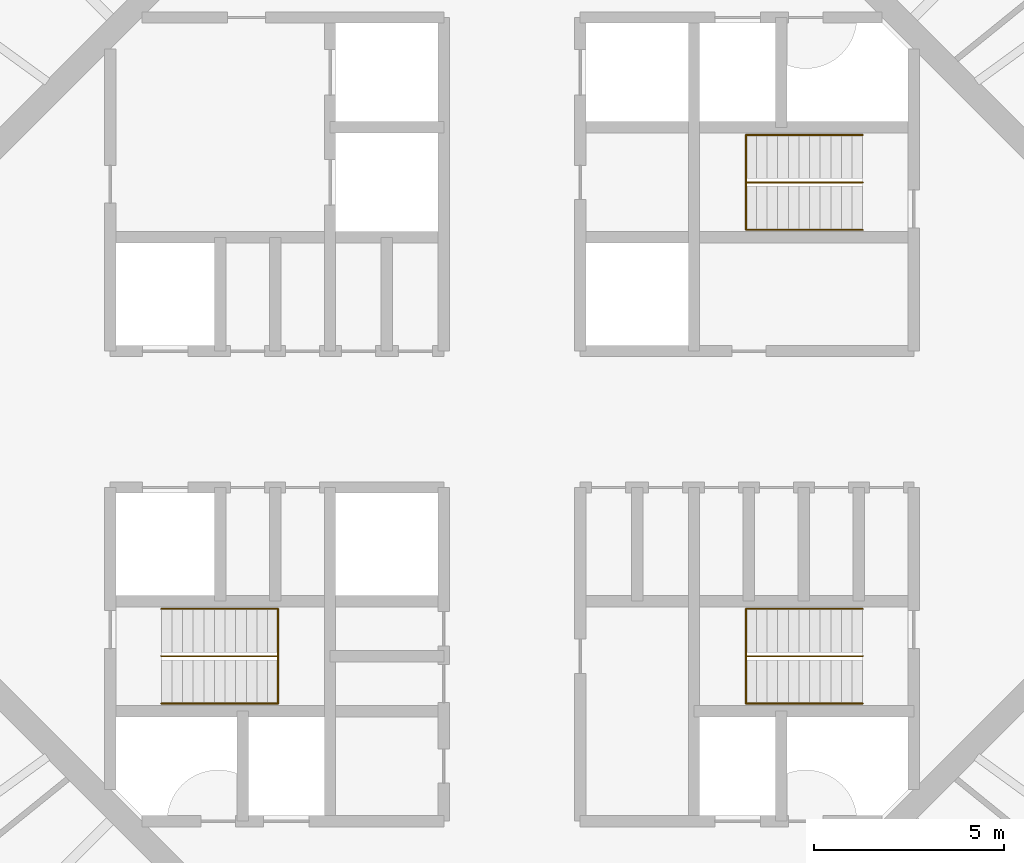
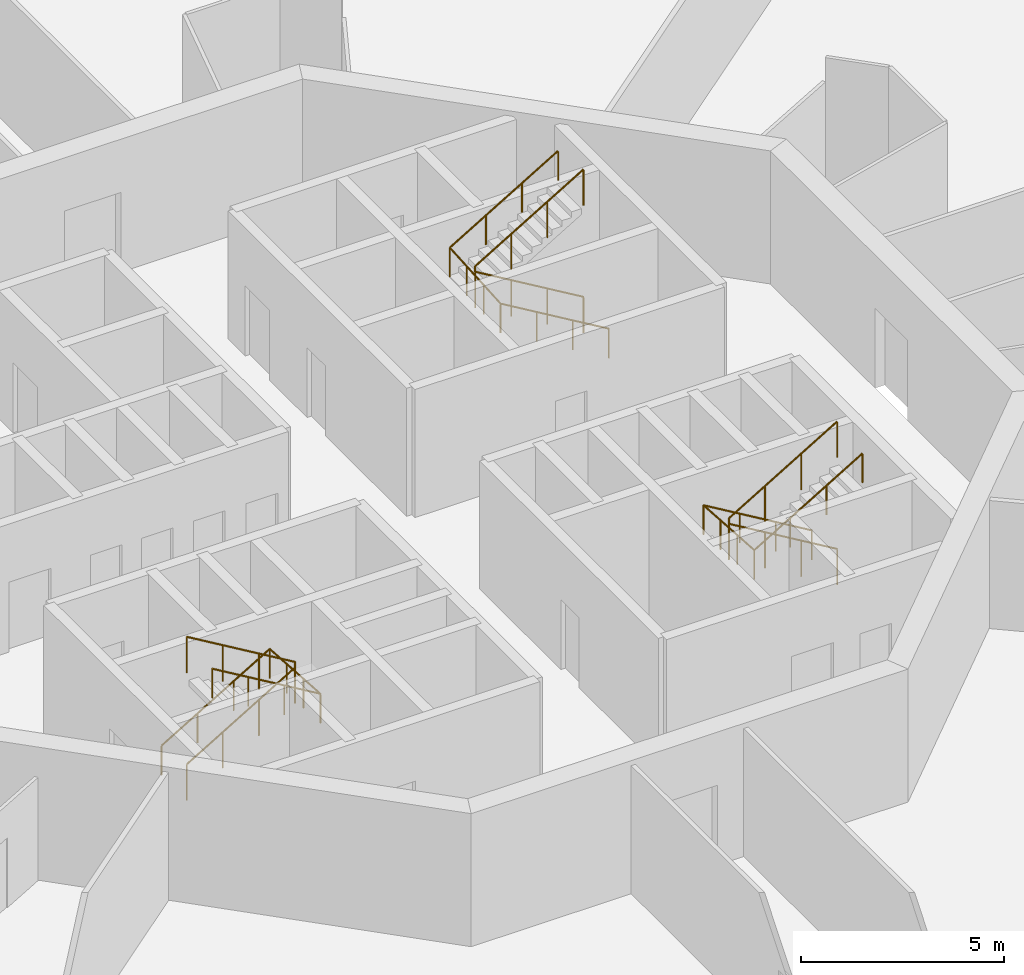
# One storey, part 13 of 13: 6 railings.
"""IFC4 building model written with IfcOpenShell, lengths in metres."""

from ifc_helpers import new_model, si_unit, direction, frame, origin, origin_2d, place, context, subcontext, project, spatial, circle, extrude, material, type_object, element, save


model = new_model("IFC4")

# Units and contexts
model_context = context("Model", 3, precision=1e-05, world=origin(), true_north=direction((0.0, 1.0)))
body_context = subcontext(model_context, "Body", "Model", "MODEL_VIEW")
ifc_project = project(units=[si_unit("LENGTHUNIT", "METRE"), si_unit("AREAUNIT", "SQUARE_METRE"), si_unit("VOLUMEUNIT", "CUBIC_METRE"), si_unit("PLANEANGLEUNIT", "RADIAN"), si_unit("MASSUNIT", "GRAM", prefix="KILO")], contexts=[model_context])

# Site, building, storey
site_placement = place(None, origin())
site = spatial("IfcSite", under=ifc_project, at=site_placement, CompositionType="ELEMENT")
building_placement = place(site_placement, origin())
building = spatial("IfcBuilding", under=site, at=building_placement, Name="Entoto Ring Tower", CompositionType="ELEMENT")
storey_placement = place(building_placement, frame((0.0, 0.0, 336.0)))
storey = spatial("IfcBuildingStorey", under=building, at=storey_placement, Name="L77", CompositionType="ELEMENT", Elevation=336.0)

# Railings
ifc_material_1 = material(Name="Steel S275", Category="steel")
railing_type_1 = type_object("IfcRailingType", Name="Stair guard 1100 mm steel", PredefinedType="GUARDRAIL", material=ifc_material_1)
railing_1_placement = place(storey_placement, frame((99.25, 86.25, 0.166748046875)))
element("IfcRailing", 1, at=railing_1_placement, inside=storey, type_object=railing_type_1, Name="Guard ST1", PredefinedType="GUARDRAIL", context=body_context, shape_type="SweptSolid", body=[
    extrude(circle(Radius=0.02392578125, at=origin_2d()), frame((0.0, 0.0, 1.076171875), z_axis=(-0.859308565015, 0.0, 0.511457515432), x_axis=(0.0, -1.0, 0.0)), (0.0, 0.0, 1.0), 3.58447265625),
    extrude(circle(Radius=0.02392578125, at=origin_2d()), frame((-3.080078125, 0.0, 2.9091796875), z_axis=(0.0, 0.0, 1.0), x_axis=(1.0, 0.0, 0.0)), (0.0, 0.0, 1.0), 0.166748046875),
    extrude(circle(Radius=0.02392578125, at=origin_2d()), frame((-3.080078125, 0.0, 3.076171875), z_axis=(0.859308565015, 0.0, 0.511457515432), x_axis=(0.0, 1.0, 0.0)), (0.0, 0.0, 1.0), 3.58447265625),
    extrude(circle(Radius=0.02099609375, at=origin_2d()), origin(), (0.0, 0.0, 1.0), 1.052001953125),
    extrude(circle(Radius=0.02099609375, at=origin_2d()), frame((-1.026611328125, 0.0, 0.611083984375)), (0.0, 0.0, 1.0), 1.052001953125),
    extrude(circle(Radius=0.02099609375, at=origin_2d()), frame((-2.053466796875, 0.0, 1.22216796875)), (0.0, 0.0, 1.0), 1.052001953125),
    extrude(circle(Radius=0.02099609375, at=origin_2d()), frame((-3.080078125, 0.0, 1.833251953125)), (0.0, 0.0, 1.0), 1.052001953125),
    extrude(circle(Radius=0.02099609375, at=origin_2d()), frame((-3.080078125, 0.0, 2.0)), (0.0, 0.0, 1.0), 1.052001953125),
    extrude(circle(Radius=0.02099609375, at=origin_2d()), frame((-2.053466796875, 0.0, 2.611083984375)), (0.0, 0.0, 1.0), 1.052001953125),
    extrude(circle(Radius=0.02099609375, at=origin_2d()), frame((-1.026611328125, 0.0, 3.22216796875)), (0.0, 0.0, 1.0), 1.052001953125),
    extrude(circle(Radius=0.02099609375, at=origin_2d()), frame((0.0, 0.0, 3.833251953125)), (0.0, 0.0, 1.0), 1.052001953125),
])
railing_2_placement = place(storey_placement, frame((80.75, 73.75, 0.166748046875)))
element("IfcRailing", 2, at=railing_2_placement, inside=storey, type_object=railing_type_1, Name="Guard ST2", PredefinedType="GUARDRAIL", context=body_context, shape_type="SweptSolid", body=[
    extrude(circle(Radius=0.02392578125, at=origin_2d()), frame((0.0, 0.0, 1.076171875), z_axis=(0.859308565015, 0.0, 0.511457515432), x_axis=(0.0, 1.0, 0.0)), (0.0, 0.0, 1.0), 3.58447265625),
    extrude(circle(Radius=0.02392578125, at=origin_2d()), frame((3.080078125, 0.0, 2.9091796875), z_axis=(0.0, 0.0, 1.0), x_axis=(1.0, 0.0, 0.0)), (0.0, 0.0, 1.0), 0.166748046875),
    extrude(circle(Radius=0.02392578125, at=origin_2d()), frame((3.080078125, 0.0, 3.076171875), z_axis=(-0.859308565015, 0.0, 0.511457515432), x_axis=(0.0, -1.0, 0.0)), (0.0, 0.0, 1.0), 3.58447265625),
    extrude(circle(Radius=0.02099609375, at=origin_2d()), origin(), (0.0, 0.0, 1.0), 1.052001953125),
    extrude(circle(Radius=0.02099609375, at=origin_2d()), frame((1.026611328125, 0.0, 0.611083984375)), (0.0, 0.0, 1.0), 1.052001953125),
    extrude(circle(Radius=0.02099609375, at=origin_2d()), frame((2.053466796875, 0.0, 1.22216796875)), (0.0, 0.0, 1.0), 1.052001953125),
    extrude(circle(Radius=0.02099609375, at=origin_2d()), frame((3.080078125, 0.0, 1.833251953125)), (0.0, 0.0, 1.0), 1.052001953125),
    extrude(circle(Radius=0.02099609375, at=origin_2d()), frame((3.080078125, 0.0, 2.0)), (0.0, 0.0, 1.0), 1.052001953125),
    extrude(circle(Radius=0.02099609375, at=origin_2d()), frame((2.053466796875, 0.0, 2.611083984375)), (0.0, 0.0, 1.0), 1.052001953125),
    extrude(circle(Radius=0.02099609375, at=origin_2d()), frame((1.026611328125, 0.0, 3.22216796875)), (0.0, 0.0, 1.0), 1.052001953125),
    extrude(circle(Radius=0.02099609375, at=origin_2d()), frame((0.0, 0.0, 3.833251953125)), (0.0, 0.0, 1.0), 1.052001953125),
])
railing_3_placement = place(storey_placement, frame((99.25, 73.75, 0.166748046875)))
element("IfcRailing", 3, at=railing_3_placement, inside=storey, type_object=railing_type_1, Name="Guard ST3", PredefinedType="GUARDRAIL", context=body_context, shape_type="SweptSolid", body=[
    extrude(circle(Radius=0.02392578125, at=origin_2d()), frame((0.0, 0.0, 1.076171875), z_axis=(-0.859308565015, 0.0, 0.511457515432), x_axis=(0.0, -1.0, 0.0)), (0.0, 0.0, 1.0), 3.58447265625),
    extrude(circle(Radius=0.02392578125, at=origin_2d()), frame((-3.080078125, 0.0, 2.9091796875), z_axis=(0.0, 0.0, 1.0), x_axis=(1.0, 0.0, 0.0)), (0.0, 0.0, 1.0), 0.166748046875),
    extrude(circle(Radius=0.02392578125, at=origin_2d()), frame((-3.080078125, 0.0, 3.076171875), z_axis=(0.859308565015, 0.0, 0.511457515432), x_axis=(0.0, 1.0, 0.0)), (0.0, 0.0, 1.0), 3.58447265625),
    extrude(circle(Radius=0.02099609375, at=origin_2d()), origin(), (0.0, 0.0, 1.0), 1.052001953125),
    extrude(circle(Radius=0.02099609375, at=origin_2d()), frame((-1.026611328125, 0.0, 0.611083984375)), (0.0, 0.0, 1.0), 1.052001953125),
    extrude(circle(Radius=0.02099609375, at=origin_2d()), frame((-2.053466796875, 0.0, 1.22216796875)), (0.0, 0.0, 1.0), 1.052001953125),
    extrude(circle(Radius=0.02099609375, at=origin_2d()), frame((-3.080078125, 0.0, 1.833251953125)), (0.0, 0.0, 1.0), 1.052001953125),
    extrude(circle(Radius=0.02099609375, at=origin_2d()), frame((-3.080078125, 0.0, 2.0)), (0.0, 0.0, 1.0), 1.052001953125),
    extrude(circle(Radius=0.02099609375, at=origin_2d()), frame((-2.053466796875, 0.0, 2.611083984375)), (0.0, 0.0, 1.0), 1.052001953125),
    extrude(circle(Radius=0.02099609375, at=origin_2d()), frame((-1.026611328125, 0.0, 3.22216796875)), (0.0, 0.0, 1.0), 1.052001953125),
    extrude(circle(Radius=0.02099609375, at=origin_2d()), frame((0.0, 0.0, 3.833251953125)), (0.0, 0.0, 1.0), 1.052001953125),
])
ifc_material_2 = material(Name="Steel S275", Category="steel")
railing_type_2 = type_object("IfcRailingType", Name="Stair handrail 900 mm steel", PredefinedType="HANDRAIL", material=ifc_material_2)
railing_4_placement = place(storey_placement, frame((99.25, 85.0, 0.166748046875)))
element("IfcRailing", 4, at=railing_4_placement, inside=storey, type_object=railing_type_2, Name="Handrail ST1", PredefinedType="HANDRAIL", context=body_context, shape_type="SweptSolid", body=[
    extrude(circle(Radius=0.02392578125, at=origin_2d()), frame((0.0, 0.0, 0.8759765625), z_axis=(-0.859308565015, 0.0, 0.511457515432), x_axis=(0.0, -1.0, 0.0)), (0.0, 0.0, 1.0), 3.58447265625),
    extrude(circle(Radius=0.02392578125, at=origin_2d()), frame((-3.080078125, 0.0, 2.708984375), z_axis=(0.0, 0.997783001586, 0.066551346688), x_axis=(-1.0, 0.0, 0.0)), (0.0, 0.0, 1.0), 2.505615234375),
    extrude(circle(Radius=0.02392578125, at=origin_2d()), frame((-3.080078125, 2.5, 2.8759765625), z_axis=(0.859308565015, 0.0, 0.511457515432), x_axis=(0.0, 1.0, 0.0)), (0.0, 0.0, 1.0), 3.58447265625),
    extrude(circle(Radius=0.02099609375, at=origin_2d()), origin(), (0.0, 0.0, 1.0), 0.851806640625),
    extrude(circle(Radius=0.02099609375, at=origin_2d()), frame((-1.026611328125, 0.0, 0.611083984375)), (0.0, 0.0, 1.0), 0.851806640625),
    extrude(circle(Radius=0.02099609375, at=origin_2d()), frame((-2.053466796875, 0.0, 1.22216796875)), (0.0, 0.0, 1.0), 0.851806640625),
    extrude(circle(Radius=0.02099609375, at=origin_2d()), frame((-3.080078125, 0.0, 1.833251953125)), (0.0, 0.0, 1.0), 0.851806640625),
    extrude(circle(Radius=0.02099609375, at=origin_2d()), frame((-3.080078125, 0.833251953125, 1.888916015625)), (0.0, 0.0, 1.0), 0.851806640625),
    extrude(circle(Radius=0.02099609375, at=origin_2d()), frame((-3.080078125, 1.666748046875, 1.9443359375)), (0.0, 0.0, 1.0), 0.851806640625),
    extrude(circle(Radius=0.02099609375, at=origin_2d()), frame((-3.080078125, 2.5, 2.0)), (0.0, 0.0, 1.0), 0.851806640625),
    extrude(circle(Radius=0.02099609375, at=origin_2d()), frame((-2.053466796875, 2.5, 2.611083984375)), (0.0, 0.0, 1.0), 0.851806640625),
    extrude(circle(Radius=0.02099609375, at=origin_2d()), frame((-1.026611328125, 2.5, 3.22216796875)), (0.0, 0.0, 1.0), 0.851806640625),
    extrude(circle(Radius=0.02099609375, at=origin_2d()), frame((0.0, 2.5, 3.833251953125)), (0.0, 0.0, 1.0), 0.851806640625),
])
railing_5_placement = place(storey_placement, frame((80.75, 75.0, 0.166748046875)))
element("IfcRailing", 5, at=railing_5_placement, inside=storey, type_object=railing_type_2, Name="Handrail ST2", PredefinedType="HANDRAIL", context=body_context, shape_type="SweptSolid", body=[
    extrude(circle(Radius=0.02392578125, at=origin_2d()), frame((0.0, 0.0, 0.8759765625), z_axis=(0.859308565015, 0.0, 0.511457515432), x_axis=(0.0, 1.0, 0.0)), (0.0, 0.0, 1.0), 3.58447265625),
    extrude(circle(Radius=0.02392578125, at=origin_2d()), frame((3.080078125, 0.0, 2.708984375), z_axis=(0.0, -0.997783001586, 0.066551346688), x_axis=(1.0, 0.0, 0.0)), (0.0, 0.0, 1.0), 2.505615234375),
    extrude(circle(Radius=0.02392578125, at=origin_2d()), frame((3.080078125, -2.5, 2.8759765625), z_axis=(-0.859308565015, 0.0, 0.511457515432), x_axis=(0.0, -1.0, 0.0)), (0.0, 0.0, 1.0), 3.58447265625),
    extrude(circle(Radius=0.02099609375, at=origin_2d()), origin(), (0.0, 0.0, 1.0), 0.851806640625),
    extrude(circle(Radius=0.02099609375, at=origin_2d()), frame((1.026611328125, 0.0, 0.611083984375)), (0.0, 0.0, 1.0), 0.851806640625),
    extrude(circle(Radius=0.02099609375, at=origin_2d()), frame((2.053466796875, 0.0, 1.22216796875)), (0.0, 0.0, 1.0), 0.851806640625),
    extrude(circle(Radius=0.02099609375, at=origin_2d()), frame((3.080078125, 0.0, 1.833251953125)), (0.0, 0.0, 1.0), 0.851806640625),
    extrude(circle(Radius=0.02099609375, at=origin_2d()), frame((3.080078125, -0.833251953125, 1.888916015625)), (0.0, 0.0, 1.0), 0.851806640625),
    extrude(circle(Radius=0.02099609375, at=origin_2d()), frame((3.080078125, -1.666748046875, 1.9443359375)), (0.0, 0.0, 1.0), 0.851806640625),
    extrude(circle(Radius=0.02099609375, at=origin_2d()), frame((3.080078125, -2.5, 2.0)), (0.0, 0.0, 1.0), 0.851806640625),
    extrude(circle(Radius=0.02099609375, at=origin_2d()), frame((2.053466796875, -2.5, 2.611083984375)), (0.0, 0.0, 1.0), 0.851806640625),
    extrude(circle(Radius=0.02099609375, at=origin_2d()), frame((1.026611328125, -2.5, 3.22216796875)), (0.0, 0.0, 1.0), 0.851806640625),
    extrude(circle(Radius=0.02099609375, at=origin_2d()), frame((0.0, -2.5, 3.833251953125)), (0.0, 0.0, 1.0), 0.851806640625),
])
railing_6_placement = place(storey_placement, frame((99.25, 75.0, 0.166748046875)))
element("IfcRailing", 6, at=railing_6_placement, inside=storey, type_object=railing_type_2, Name="Handrail ST3", PredefinedType="HANDRAIL", context=body_context, shape_type="SweptSolid", body=[
    extrude(circle(Radius=0.02392578125, at=origin_2d()), frame((0.0, 0.0, 0.8759765625), z_axis=(-0.859308565015, 0.0, 0.511457515432), x_axis=(0.0, -1.0, 0.0)), (0.0, 0.0, 1.0), 3.58447265625),
    extrude(circle(Radius=0.02392578125, at=origin_2d()), frame((-3.080078125, 0.0, 2.708984375), z_axis=(0.0, -0.997783001586, 0.066551346688), x_axis=(1.0, 0.0, 0.0)), (0.0, 0.0, 1.0), 2.505615234375),
    extrude(circle(Radius=0.02392578125, at=origin_2d()), frame((-3.080078125, -2.5, 2.8759765625), z_axis=(0.859308565015, 0.0, 0.511457515432), x_axis=(0.0, 1.0, 0.0)), (0.0, 0.0, 1.0), 3.58447265625),
    extrude(circle(Radius=0.02099609375, at=origin_2d()), origin(), (0.0, 0.0, 1.0), 0.851806640625),
    extrude(circle(Radius=0.02099609375, at=origin_2d()), frame((-1.026611328125, 0.0, 0.611083984375)), (0.0, 0.0, 1.0), 0.851806640625),
    extrude(circle(Radius=0.02099609375, at=origin_2d()), frame((-2.053466796875, 0.0, 1.22216796875)), (0.0, 0.0, 1.0), 0.851806640625),
    extrude(circle(Radius=0.02099609375, at=origin_2d()), frame((-3.080078125, 0.0, 1.833251953125)), (0.0, 0.0, 1.0), 0.851806640625),
    extrude(circle(Radius=0.02099609375, at=origin_2d()), frame((-3.080078125, -0.833251953125, 1.888916015625)), (0.0, 0.0, 1.0), 0.851806640625),
    extrude(circle(Radius=0.02099609375, at=origin_2d()), frame((-3.080078125, -1.666748046875, 1.9443359375)), (0.0, 0.0, 1.0), 0.851806640625),
    extrude(circle(Radius=0.02099609375, at=origin_2d()), frame((-3.080078125, -2.5, 2.0)), (0.0, 0.0, 1.0), 0.851806640625),
    extrude(circle(Radius=0.02099609375, at=origin_2d()), frame((-2.053466796875, -2.5, 2.611083984375)), (0.0, 0.0, 1.0), 0.851806640625),
    extrude(circle(Radius=0.02099609375, at=origin_2d()), frame((-1.026611328125, -2.5, 3.22216796875)), (0.0, 0.0, 1.0), 0.851806640625),
    extrude(circle(Radius=0.02099609375, at=origin_2d()), frame((0.0, -2.5, 3.833251953125)), (0.0, 0.0, 1.0), 0.851806640625),
])

save(model, "model.ifc")
